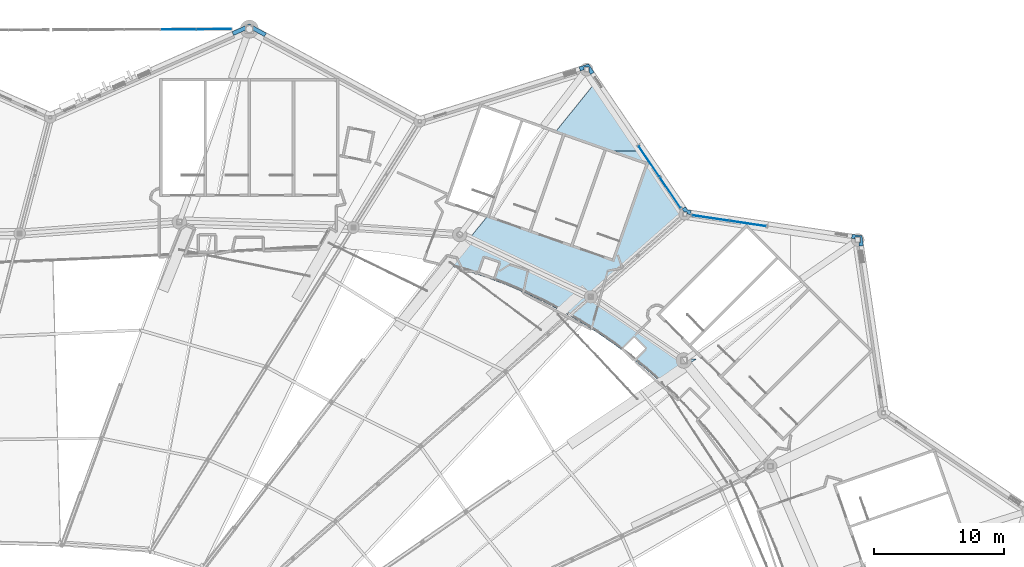
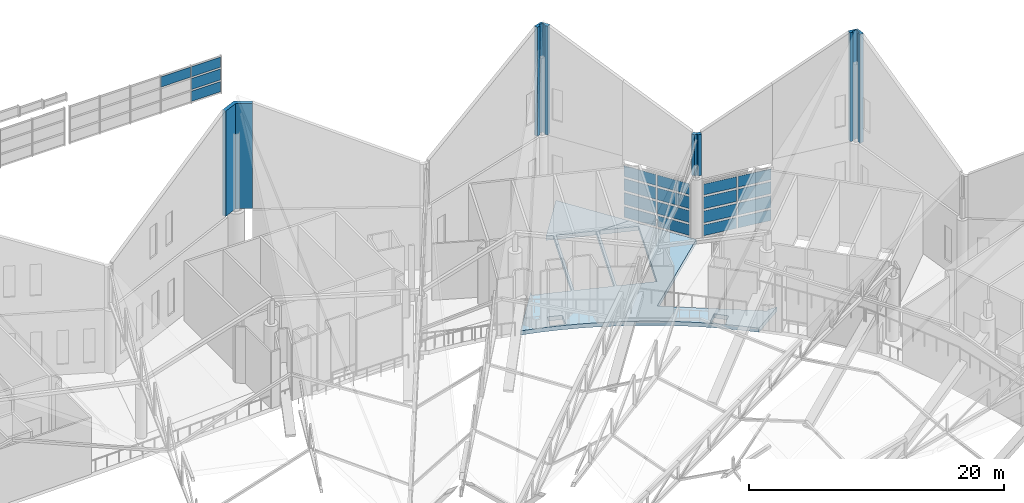
# One storey, part 241 of 344: 24 plates, 2 slabs, 3 elements without a shape of their own.
"""IFC4 building model written with IfcOpenShell, lengths in metres."""

from ifc_helpers import new_model, si_unit, direction, frame, origin, origin_2d, place, context, subcontext, project, spatial, polyline, rectangle, outline, extrude, material, layer, layer_set, type_object, element, aggregate, save


model = new_model("IFC4")

# Units and contexts
model_context = context("Model", 3, precision=1e-05, world=origin(), true_north=direction((0.0, 1.0)))
body_context = subcontext(model_context, "Body", "Model", "MODEL_VIEW")
ifc_project = project(units=[si_unit("LENGTHUNIT", "METRE"), si_unit("AREAUNIT", "SQUARE_METRE"), si_unit("VOLUMEUNIT", "CUBIC_METRE"), si_unit("PLANEANGLEUNIT", "RADIAN"), si_unit("MASSUNIT", "GRAM", prefix="KILO")], contexts=[model_context])

# Site, building, storey
site_placement = place(None, origin())
site = spatial("IfcSite", under=ifc_project, at=site_placement, CompositionType="ELEMENT")
building_placement = place(site_placement, origin())
building = spatial("IfcBuilding", under=site, at=building_placement, Name="Meseta Stadium", CompositionType="ELEMENT")
storey_placement = place(building_placement, frame((0.0, 0.0, 24.0)))
storey = spatial("IfcBuildingStorey", under=building, at=storey_placement, Name="L04", CompositionType="ELEMENT", Elevation=24.0)

# Curtain wall, plates
ifc_material_1 = material(Name="Steel S355", Category="steel")
ifc_layer_1 = layer(ifc_material_1, 0.300048828125)
ifc_layer_set_1 = layer_set([ifc_layer_1], Name="Valley atrium curtain wall")
curtain_wall_type_1 = type_object("IfcCurtainWallType", Name="Valley atrium curtain wall", PredefinedType="NOTDEFINED", material=ifc_layer_set_1)
curtain_wall_1_placement = place(storey_placement, origin())
curtain_wall_1 = element("IfcCurtainWall", 1, at=curtain_wall_1_placement, inside=storey, type_object=curtain_wall_type_1, Name="Valley atrium glazing F12", PredefinedType="NOTDEFINED")
ifc_material_2 = material(Name="Glass", Category="glass")
ifc_layer_2 = layer(ifc_material_2, 0.035888671875)
ifc_layer_set_2 = layer_set([ifc_layer_2], Name="CW glass panel 36")
plate_type_1 = type_object("IfcPlateType", Name="CW glass panel 36", PredefinedType="CURTAIN_PANEL", material=ifc_layer_set_2)
plate_1_placement = place(storey_placement, frame((76.715576171875, 90.429443359375, 0.199951171875), z_axis=(0.0, 0.0, 1.0), x_axis=(-0.989158212798, 0.146853770992, 0.0)))
plate_1 = element("IfcPlate", 2, at=plate_1_placement, type_object=plate_type_1, Name="CWA panel 1.1", PredefinedType="CURTAIN_PANEL", context=body_context, shape_type="SweptSolid", body=[
    extrude(rectangle(XDim=2.77490234375, YDim=0.035888671875, at=origin_2d()), origin(), (0.0, 0.0, 1.0), 1.03759765625),
])
plate_2_placement = place(storey_placement, frame((76.715576171875, 90.429443359375, 1.4375), z_axis=(0.0, 0.0, 1.0), x_axis=(-0.989158212798, 0.146853770992, 0.0)))
plate_2 = element("IfcPlate", 3, at=plate_2_placement, type_object=plate_type_1, Name="CWA panel 1.2", PredefinedType="CURTAIN_PANEL", context=body_context, shape_type="SweptSolid", body=[
    extrude(rectangle(XDim=2.77490234375, YDim=0.035888671875, at=origin_2d()), origin(), (0.0, 0.0, 1.0), 1.137451171875),
])
plate_3_placement = place(storey_placement, frame((76.715576171875, 90.429443359375, 2.77490234375), z_axis=(0.0, 0.0, 1.0), x_axis=(-0.989158212798, 0.146853770992, 0.0)))
plate_3 = element("IfcPlate", 4, at=plate_3_placement, type_object=plate_type_1, Name="CWA panel 1.3", PredefinedType="CURTAIN_PANEL", context=body_context, shape_type="SweptSolid", body=[
    extrude(rectangle(XDim=2.77490234375, YDim=0.035888671875, at=origin_2d()), origin(), (0.0, 0.0, 1.0), 1.137451171875),
])
plate_4_placement = place(storey_placement, frame((76.715576171875, 90.429443359375, 4.112548828125), z_axis=(0.0, 0.0, 1.0), x_axis=(-0.989158212798, 0.146853770992, 0.0)))
plate_4 = element("IfcPlate", 5, at=plate_4_placement, type_object=plate_type_1, Name="CWA panel 1.4", PredefinedType="CURTAIN_PANEL", context=body_context, shape_type="SweptSolid", body=[
    extrude(rectangle(XDim=2.77490234375, YDim=0.035888671875, at=origin_2d()), origin(), (0.0, 0.0, 1.0), 1.03759765625),
])
plate_5_placement = place(storey_placement, frame((73.822265625, 90.85888671875, 0.199951171875), z_axis=(0.0, 0.0, 1.0), x_axis=(-0.989158212798, 0.146853770992, 0.0)))
plate_5 = element("IfcPlate", 6, at=plate_5_placement, type_object=plate_type_1, Name="CWA panel 2.1", PredefinedType="CURTAIN_PANEL", context=body_context, shape_type="SweptSolid", body=[
    extrude(rectangle(XDim=2.77490234375, YDim=0.035888671875, at=origin_2d()), origin(), (0.0, 0.0, 1.0), 1.03759765625),
])
plate_6_placement = place(storey_placement, frame((73.822265625, 90.85888671875, 1.4375), z_axis=(0.0, 0.0, 1.0), x_axis=(-0.989158212798, 0.146853770992, 0.0)))
plate_6 = element("IfcPlate", 7, at=plate_6_placement, type_object=plate_type_1, Name="CWA panel 2.2", PredefinedType="CURTAIN_PANEL", context=body_context, shape_type="SweptSolid", body=[
    extrude(rectangle(XDim=2.77490234375, YDim=0.035888671875, at=origin_2d()), origin(), (0.0, 0.0, 1.0), 1.137451171875),
])
plate_7_placement = place(storey_placement, frame((73.822265625, 90.85888671875, 2.77490234375), z_axis=(0.0, 0.0, 1.0), x_axis=(-0.989158212798, 0.146853770992, 0.0)))
plate_7 = element("IfcPlate", 8, at=plate_7_placement, type_object=plate_type_1, Name="CWA panel 2.3", PredefinedType="CURTAIN_PANEL", context=body_context, shape_type="SweptSolid", body=[
    extrude(rectangle(XDim=2.77490234375, YDim=0.035888671875, at=origin_2d()), origin(), (0.0, 0.0, 1.0), 1.137451171875),
])
plate_8_placement = place(storey_placement, frame((73.822265625, 90.85888671875, 4.112548828125), z_axis=(0.0, 0.0, 1.0), x_axis=(-0.989158212798, 0.146853770992, 0.0)))
plate_8 = element("IfcPlate", 9, at=plate_8_placement, type_object=plate_type_1, Name="CWA panel 2.4", PredefinedType="CURTAIN_PANEL", context=body_context, shape_type="SweptSolid", body=[
    extrude(rectangle(XDim=2.77490234375, YDim=0.035888671875, at=origin_2d()), origin(), (0.0, 0.0, 1.0), 1.03759765625),
])
aggregate(curtain_wall_1, [plate_1, plate_2, plate_3, plate_4, plate_5, plate_6, plate_7, plate_8])

curtain_wall_2_placement = place(storey_placement, origin())
curtain_wall_2 = element("IfcCurtainWall", 10, at=curtain_wall_2_placement, inside=storey, type_object=curtain_wall_type_1, Name="Valley atrium glazing F13", PredefinedType="NOTDEFINED")
plate_9_placement = place(storey_placement, frame((70.740966796875, 92.79541015625, 0.199951171875), z_axis=(0.0, 0.0, 1.0), x_axis=(-0.561490339842, 0.827483291834, 0.0)))
plate_9 = element("IfcPlate", 11, at=plate_9_placement, type_object=plate_type_1, Name="CWA panel 1.1", PredefinedType="CURTAIN_PANEL", context=body_context, shape_type="SweptSolid", body=[
    extrude(rectangle(XDim=2.77490234375, YDim=0.035888671875, at=origin_2d()), origin(), (0.0, 0.0, 1.0), 1.03759765625),
])
plate_10_placement = place(storey_placement, frame((70.740966796875, 92.79541015625, 1.4375), z_axis=(0.0, 0.0, 1.0), x_axis=(-0.561490339842, 0.827483291834, 0.0)))
plate_10 = element("IfcPlate", 12, at=plate_10_placement, type_object=plate_type_1, Name="CWA panel 1.2", PredefinedType="CURTAIN_PANEL", context=body_context, shape_type="SweptSolid", body=[
    extrude(rectangle(XDim=2.77490234375, YDim=0.035888671875, at=origin_2d()), origin(), (0.0, 0.0, 1.0), 1.137451171875),
])
plate_11_placement = place(storey_placement, frame((70.740966796875, 92.79541015625, 2.77490234375), z_axis=(0.0, 0.0, 1.0), x_axis=(-0.561490339842, 0.827483291834, 0.0)))
plate_11 = element("IfcPlate", 13, at=plate_11_placement, type_object=plate_type_1, Name="CWA panel 1.3", PredefinedType="CURTAIN_PANEL", context=body_context, shape_type="SweptSolid", body=[
    extrude(rectangle(XDim=2.77490234375, YDim=0.035888671875, at=origin_2d()), origin(), (0.0, 0.0, 1.0), 1.137451171875),
])
plate_12_placement = place(storey_placement, frame((70.740966796875, 92.79541015625, 4.112548828125), z_axis=(0.0, 0.0, 1.0), x_axis=(-0.561490339842, 0.827483291834, 0.0)))
plate_12 = element("IfcPlate", 14, at=plate_12_placement, type_object=plate_type_1, Name="CWA panel 1.4", PredefinedType="CURTAIN_PANEL", context=body_context, shape_type="SweptSolid", body=[
    extrude(rectangle(XDim=2.77490234375, YDim=0.035888671875, at=origin_2d()), origin(), (0.0, 0.0, 1.0), 1.03759765625),
])
plate_13_placement = place(storey_placement, frame((69.0986328125, 95.215576171875, 0.199951171875), z_axis=(0.0, 0.0, 1.0), x_axis=(-0.561490339842, 0.827483291834, 0.0)))
plate_13 = element("IfcPlate", 15, at=plate_13_placement, type_object=plate_type_1, Name="CWA panel 2.1", PredefinedType="CURTAIN_PANEL", context=body_context, shape_type="SweptSolid", body=[
    extrude(rectangle(XDim=2.77490234375, YDim=0.035888671875, at=origin_2d()), origin(), (0.0, 0.0, 1.0), 1.03759765625),
])
plate_14_placement = place(storey_placement, frame((69.0986328125, 95.215576171875, 1.4375), z_axis=(0.0, 0.0, 1.0), x_axis=(-0.561490339842, 0.827483291834, 0.0)))
plate_14 = element("IfcPlate", 16, at=plate_14_placement, type_object=plate_type_1, Name="CWA panel 2.2", PredefinedType="CURTAIN_PANEL", context=body_context, shape_type="SweptSolid", body=[
    extrude(rectangle(XDim=2.77490234375, YDim=0.035888671875, at=origin_2d()), origin(), (0.0, 0.0, 1.0), 1.137451171875),
])
plate_15_placement = place(storey_placement, frame((69.0986328125, 95.215576171875, 2.77490234375), z_axis=(0.0, 0.0, 1.0), x_axis=(-0.561490339842, 0.827483291834, 0.0)))
plate_15 = element("IfcPlate", 17, at=plate_15_placement, type_object=plate_type_1, Name="CWA panel 2.3", PredefinedType="CURTAIN_PANEL", context=body_context, shape_type="SweptSolid", body=[
    extrude(rectangle(XDim=2.77490234375, YDim=0.035888671875, at=origin_2d()), origin(), (0.0, 0.0, 1.0), 1.137451171875),
])
plate_16_placement = place(storey_placement, frame((69.0986328125, 95.215576171875, 4.112548828125), z_axis=(0.0, 0.0, 1.0), x_axis=(-0.561490339842, 0.827483291834, 0.0)))
plate_16 = element("IfcPlate", 18, at=plate_16_placement, type_object=plate_type_1, Name="CWA panel 2.4", PredefinedType="CURTAIN_PANEL", context=body_context, shape_type="SweptSolid", body=[
    extrude(rectangle(XDim=2.77490234375, YDim=0.035888671875, at=origin_2d()), origin(), (0.0, 0.0, 1.0), 1.03759765625),
])
aggregate(curtain_wall_2, [plate_9, plate_10, plate_11, plate_12, plate_13, plate_14, plate_15, plate_16])

ifc_material_3 = material(Name="Aluminium", Category="aluminium")
ifc_layer_3 = layer(ifc_material_3, 0.199951171875)
ifc_layer_set_3 = layer_set([ifc_layer_3], Name="Gable glazing curtain wall")
curtain_wall_type_2 = type_object("IfcCurtainWallType", Name="Gable glazing curtain wall", PredefinedType="NOTDEFINED", material=ifc_layer_set_3)
curtain_wall_3_placement = place(storey_placement, origin())
curtain_wall_3 = element("IfcCurtainWall", 19, at=curtain_wall_3_placement, inside=storey, type_object=curtain_wall_type_2, Name="Gable glazing north lower bay 01", PredefinedType="NOTDEFINED")
plate_17_placement = place(storey_placement, frame((35.603271484375, 105.389404296875, 17.75), z_axis=(0.0, 0.0, 1.0), x_axis=(-0.999992598213, -0.003847534181, 0.0)))
plate_17 = element("IfcPlate", 20, at=plate_17_placement, type_object=plate_type_1, Name="CWG panel 1.1", PredefinedType="CURTAIN_PANEL", context=body_context, shape_type="SweptSolid", body=[
    extrude(rectangle(XDim=2.67626953125, YDim=0.035888671875, at=origin_2d()), origin(), (0.0, 0.0, 1.0), 0.986572265625),
])
plate_18_placement = place(storey_placement, frame((35.603271484375, 105.389404296875, 18.88671875), z_axis=(0.0, 0.0, 1.0), x_axis=(-0.999992598213, -0.003847534181, 0.0)))
plate_18 = element("IfcPlate", 21, at=plate_18_placement, type_object=plate_type_1, Name="CWG panel 1.2", PredefinedType="CURTAIN_PANEL", context=body_context, shape_type="SweptSolid", body=[
    extrude(rectangle(XDim=2.67626953125, YDim=0.035888671875, at=origin_2d()), origin(), (0.0, 0.0, 1.0), 1.061767578125),
])
plate_19_placement = place(storey_placement, frame((35.603271484375, 105.389404296875, 20.09814453125), z_axis=(0.0, 0.0, 1.0), x_axis=(-0.999992598213, -0.003847534181, 0.0)))
plate_19 = element("IfcPlate", 22, at=plate_19_placement, type_object=plate_type_1, Name="CWG panel 1.3", PredefinedType="CURTAIN_PANEL", context=body_context, shape_type="SweptSolid", body=[
    extrude(rectangle(XDim=2.67626953125, YDim=0.035888671875, at=origin_2d()), origin(), (0.0, 0.0, 1.0), 0.986572265625),
])
plate_20_placement = place(storey_placement, frame((32.851806640625, 105.37890625, 20.09814453125), z_axis=(0.0, 0.0, 1.0), x_axis=(-0.999992598213, -0.003847534181, 0.0)))
plate_20 = element("IfcPlate", 23, at=plate_20_placement, type_object=plate_type_1, Name="CWG panel 2.3", PredefinedType="CURTAIN_PANEL", context=body_context, shape_type="SweptSolid", body=[
    extrude(rectangle(XDim=2.706298828125, YDim=0.035888671875, at=origin_2d()), origin(), (0.0, 0.0, 1.0), 0.986572265625),
])
aggregate(curtain_wall_3, [plate_17, plate_18, plate_19, plate_20])

# Slabs
ifc_material_4 = material(Name="Concrete C40/50", Category="concrete")
ifc_layer_4 = layer(ifc_material_4, 0.39990234375)
ifc_layer_set_4 = layer_set([ifc_layer_4], Name="Floor slab 400")
slab_type = type_object("IfcSlabType", Name="Floor slab 400", PredefinedType="FLOOR", material=ifc_layer_set_4)
slab_1_placement = place(storey_placement, frame((0.0, 0.0, -0.39990234375)))
element("IfcSlab", 24, at=slab_1_placement, inside=storey, type_object=slab_type, Name="Floor slab L04 sector 07 panel 01", PredefinedType="FLOOR", context=body_context, shape_type="SweptSolid", body=[
    extrude(outline(polyline([(68.56640625, 96.0), (65.9267578125, 96.0), (68.837890625, 94.981201171875), (66.294921875, 87.71337890625), (63.2744140625, 88.770263671875), (65.80419921875, 96.0), (65.59228515625, 96.0), (63.085693359375, 88.836181640625), (60.065185546875, 89.893310546875), (62.201904296875, 96.0), (61.990234375, 96.0), (59.87646484375, 89.959228515625), (56.85595703125, 91.01611328125), (56.9921875, 91.40576171875), (53.608642578125, 87.213134765625), (55.115966796875, 86.77685546875), (56.614501953125, 86.27685546875), (58.091552734375, 85.717041015625), (59.54443359375, 85.098388671875), (60.97119140625, 84.422119140625), (62.369384765625, 83.688720703125), (63.736572265625, 82.89990234375), (65.07080078125, 82.05712890625), (66.36962890625, 81.161376953125), (67.63134765625, 80.21435546875), (67.894287109375, 80.0), (68.853515625, 79.217529296875), (70.034423828125, 78.172607421875), (72.741455078125, 80.0), (71.935791015625, 80.0), (71.775390625, 79.888916015625), (64.6220703125, 84.79248046875), (71.856689453125, 91.15087890625), (68.56640625, 96.0)]), holes=[polyline([(67.963134765625, 81.650390625), (68.811767578125, 80.802001953125), (67.963134765625, 79.953369140625), (67.114501953125, 80.802001953125), (67.963134765625, 81.650390625)]), polyline([(56.42041015625, 87.802978515625), (57.552978515625, 87.40673828125), (57.156494140625, 86.274169921875), (56.02392578125, 86.67041015625), (56.42041015625, 87.802978515625)])]), origin(), (0.0, 0.0, 1.0), 0.39990234375),
])
slab_2_placement = place(storey_placement, frame((0.0, 0.0, -0.39990234375)))
element("IfcSlab", 25, at=slab_2_placement, inside=storey, type_object=slab_type, Name="Floor slab L04 sector 07 panel 02", PredefinedType="FLOOR", context=body_context, shape_type="SweptSolid", body=[
    extrude(outline(polyline([(64.973388671875, 101.294921875), (61.85107421875, 97.426025390625), (62.419677734375, 97.227294921875), (61.990234375, 96.0), (62.201904296875, 96.0), (62.6083984375, 97.1611328125), (65.62890625, 96.104248046875), (65.59228515625, 96.0), (65.80419921875, 96.0), (65.8173828125, 96.0380859375), (65.9267578125, 96.0), (68.56640625, 96.0), (64.973388671875, 101.294921875)])), origin(), (0.0, 0.0, 1.0), 0.39990234375),
])

# Plates
ifc_material_5 = material(Name="White precast concrete C40/50", Category="concrete")
ifc_layer_5 = layer(ifc_material_5, 0.320068359375)
ifc_layer_set_5 = layer_set([ifc_layer_5], Name="Fold closer plate 320")
plate_type_2 = type_object("IfcPlateType", Name="Fold closer plate 320", PredefinedType="USERDEFINED", material=ifc_layer_set_5)
plate_21_placement = place(storey_placement, frame((0.0, 0.0, 6.0)))
element("IfcPlate", 26, at=plate_21_placement, inside=storey, type_object=plate_type_2, Name="Pleated fascia fold closer L04 F11", ObjectType="CLADDING", PredefinedType="USERDEFINED", context=body_context, shape_type="SweptSolid", body=[
    extrude(outline(polyline([(85.245361328125, 88.963623046875), (85.28662109375, 88.685546875), (85.603271484375, 88.732666015625), (85.490478515625, 89.490478515625), (84.732666015625, 89.603271484375), (84.685546875, 89.28662109375), (84.963623046875, 89.245361328125), (84.9638671875, 89.374755859375), (84.970703125, 89.38330078125), (85.373779296875, 89.3837890625), (85.38134765625, 89.380126953125), (85.3837890625, 89.373779296875), (85.38330078125, 88.970703125), (85.374755859375, 88.9638671875), (85.245361328125, 88.963623046875)])), origin(), (0.0, 0.0, 1.0), 10.432861328125),
])
plate_22_placement = place(storey_placement, frame((0.0, 0.0, 6.0)))
element("IfcPlate", 27, at=plate_22_placement, inside=storey, type_object=plate_type_2, Name="Pleated fascia fold closer L04 F12", ObjectType="CLADDING", PredefinedType="USERDEFINED", context=body_context, shape_type="SweptSolid", body=[
    extrude(outline(polyline([(71.63720703125, 91.54541015625), (71.79638671875, 91.310791015625), (72.0068359375, 91.310791015625), (72.013916015625, 91.307861328125), (72.016845703125, 91.30078125), (72.016845703125, 91.16748046875), (72.30712890625, 91.12451171875), (72.354248046875, 91.44091796875), (72.06591796875, 91.483642578125), (71.902099609375, 91.72509765625), (71.63720703125, 91.54541015625)])), origin(), (0.0, 0.0, 1.0), 3.947998046875),
])
plate_23_placement = place(storey_placement, frame((0.0, 0.0, 6.0)))
element("IfcPlate", 28, at=plate_23_placement, inside=storey, type_object=plate_type_2, Name="Pleated fascia fold closer L04 F13", ObjectType="CLADDING", PredefinedType="USERDEFINED", context=body_context, shape_type="SweptSolid", body=[
    extrude(outline(polyline([(64.445556640625, 102.714111328125), (63.71337890625, 102.486572265625), (63.808349609375, 102.180908203125), (64.112548828125, 102.275390625), (64.112548828125, 102.466064453125), (64.11865234375, 102.475341796875), (64.473388671875, 102.47607421875), (64.4794921875, 102.47314453125), (64.482421875, 102.466064453125), (64.482421875, 102.1162109375), (64.478759765625, 102.1083984375), (64.47119140625, 102.106201171875), (64.611083984375, 101.89990234375), (64.8759765625, 102.07958984375), (64.445556640625, 102.714111328125)])), origin(), (0.0, 0.0, 1.0), 10.4326171875),
])
plate_24_placement = place(storey_placement, frame((0.0, 0.0, 6.0)))
element("IfcPlate", 29, at=plate_24_placement, inside=storey, type_object=plate_type_2, Name="Pleated fascia fold closer L04 F15", ObjectType="CLADDING", PredefinedType="USERDEFINED", context=body_context, shape_type="SweptSolid", body=[
    extrude(outline(polyline([(37.0, 105.202392578125), (37.1298828125, 104.909912109375), (38.335205078125, 105.444580078125), (39.4951171875, 104.81591796875), (39.6474609375, 105.09716796875), (38.34912109375, 105.80078125), (37.0, 105.202392578125)])), origin(), (0.0, 0.0, 1.0), 10.09228515625),
])

save(model, "model.ifc")
